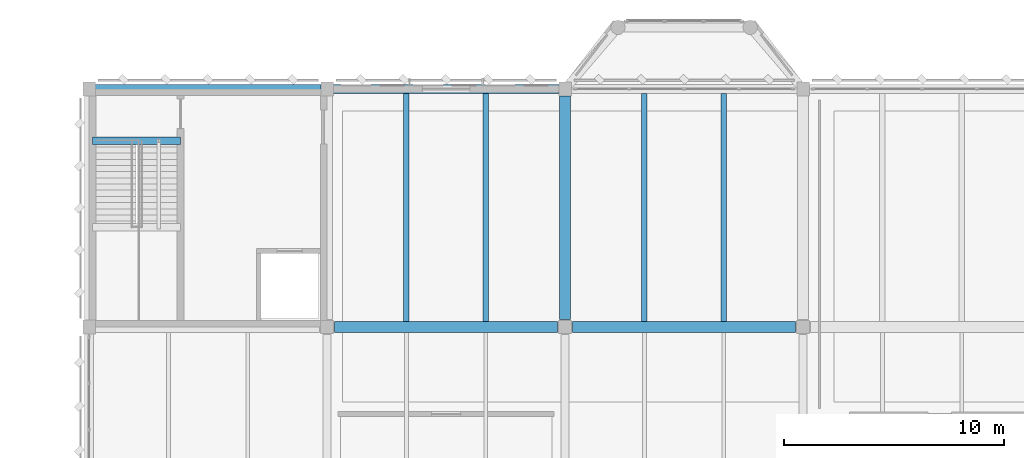
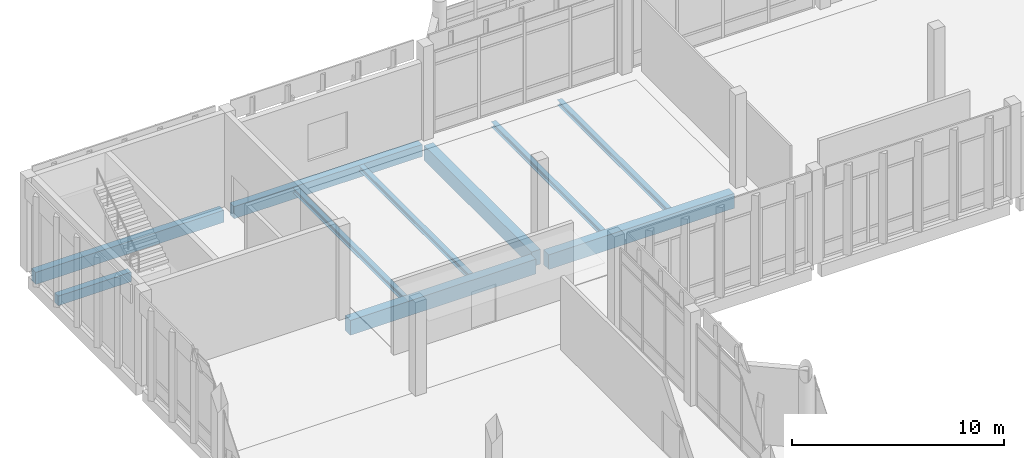
# One storey, part 69 of 180: 10 beams.
"""IFC4 building model written with IfcOpenShell, lengths in metres."""

from ifc_helpers import new_model, si_unit, direction, frame, origin, origin_2d, place, context, subcontext, project, spatial, rectangle, i_section, extrude, material, material_profile, profile_set, type_object, element, save


model = new_model("IFC4")

# Units and contexts
model_context = context("Model", 3, precision=1e-05, world=origin(), true_north=direction((0.0, 1.0)))
body_context = subcontext(model_context, "Body", "Model", "MODEL_VIEW")
ifc_project = project(units=[si_unit("LENGTHUNIT", "METRE"), si_unit("AREAUNIT", "SQUARE_METRE"), si_unit("VOLUMEUNIT", "CUBIC_METRE"), si_unit("PLANEANGLEUNIT", "RADIAN"), si_unit("MASSUNIT", "GRAM", prefix="KILO")], contexts=[model_context])

# Site, building, storey
site_placement = place(None, origin())
site = spatial("IfcSite", under=ifc_project, at=site_placement, CompositionType="ELEMENT")
building_placement = place(site_placement, origin())
building = spatial("IfcBuilding", under=site, at=building_placement, Name="Lusvemor Sports Hall", CompositionType="ELEMENT")
storey_placement = place(building_placement, frame((0.0, 0.0, 5.39990234375)))
storey = spatial("IfcBuildingStorey", under=building, at=storey_placement, Name="L01", CompositionType="ELEMENT", Elevation=5.39990234375)

# Beams
ifc_material_1 = material(Name="Concrete C40/50", Category="concrete")
ifc_material_profile_1 = material_profile(ifc_material_1, rectangle(XDim=0.35009765625, YDim=0.550048828125, at=origin_2d()), Name="RC350x550")
ifc_profile_set_1 = profile_set([ifc_material_profile_1], Name="Concrete C40/50")
beam_type_1 = type_object("IfcBeamType", Name="BEAM_RC_550", PredefinedType="BEAM", material=ifc_profile_set_1)
beam_1_placement = place(storey_placement, frame((0.159912109375, 112.85009765625, -0.454833984375), z_axis=(1.0, 0.0, 0.0), x_axis=(0.0, 1.0, 0.0)))
element("IfcBeam", 1, at=beam_1_placement, inside=storey, type_object=beam_type_1, Name="Stair STR-C1-L00 Top-Landing Beam", PredefinedType="BEAM", context=body_context, shape_type="SweptSolid", body=[
    extrude(rectangle(XDim=0.35009765625, YDim=0.550048828125, at=origin_2d()), origin(), (0.0, 0.0, 1.0), 3.97998046875),
])
ifc_material_2 = material(Name="Concrete C40/50", Category="concrete")
ifc_material_profile_2 = material_profile(ifc_material_2, rectangle(XDim=0.5, YDim=0.85009765625, at=origin_2d()), Name="RC500x850")
ifc_profile_set_2 = profile_set([ifc_material_profile_2], Name="Concrete C40/50")
beam_type_2 = type_object("IfcBeamType", Name="GIRD_RC_850", PredefinedType="T_BEAM", material=ifc_profile_set_2)
for number, where, z_axis, x_axis, name in (
    (2, (11.14599609375, 104.39990234375, -0.684814453125), (1.0, 0.0, 0.0), (0.0, 1.0, 0.0), "Beam L01 P:2-3"),
    (3, (21.946044921875, 104.39990234375, -0.684814453125), (1.0, 0.0, 0.0), (0.0, 1.0, 0.0), "Beam L01 P:3-4"),
):
    element("IfcBeam", number, at=place(storey_placement, frame(where, z_axis=z_axis, x_axis=x_axis)), inside=storey, type_object=beam_type_2, Name=name, PredefinedType="T_BEAM", context=body_context, shape_type="SweptSolid", body=[
        extrude(rectangle(XDim=0.5, YDim=0.85009765625, at=origin_2d()), origin(), (0.0, 0.0, 1.0), 10.10791015625),
    ])
beam_2_placement = place(storey_placement, frame((21.60009765625, 104.74609375, -0.684814453125), z_axis=(0.0, 1.0, 0.0), x_axis=(-1.0, 0.0, 0.0)))
element("IfcBeam", 4, at=beam_2_placement, inside=storey, type_object=beam_type_2, Name="Beam L01 3:P-Q", PredefinedType="T_BEAM", context=body_context, shape_type="SweptSolid", body=[
    extrude(rectangle(XDim=0.5, YDim=0.85009765625, at=origin_2d()), origin(), (0.0, 0.0, 1.0), 10.137939453125),
])
ifc_material_3 = material(Name="Steel S355", Category="steel")
ifc_material_profile_3 = material_profile(ifc_material_3, i_section(OverallWidth=0.25390625, OverallDepth=0.305908203125, WebThickness=0.0087890625, FlangeThickness=0.0146484375, FilletRadius=0.014892578125, at=origin_2d()), Name="W310x79.0")
ifc_profile_set_3 = profile_set([ifc_material_profile_3], Name="Steel S355")
beam_type_3 = type_object("IfcBeamType", Name="JOIST_ST_310H", PredefinedType="JOIST", material=ifc_profile_set_3)
for number, where, z_axis, x_axis, name in (
    (5, (14.39990234375, 104.64599609375, -0.4169921875), (0.0, 1.0, 0.0), (-1.0, 0.0, 0.0), "Secondary Joist L01 2-3/P-Q #1"),
    (6, (18.0, 104.64599609375, -0.4169921875), (0.0, 1.0, 0.0), (-1.0, 0.0, 0.0), "Secondary Joist L01 2-3/P-Q #2"),
    (7, (25.199951171875, 104.64599609375, -0.4169921875), (0.0, 1.0, 0.0), (-1.0, 0.0, 0.0), "Secondary Joist L01 3-4/P-Q #1"),
    (8, (28.800048828125, 104.64599609375, -0.4169921875), (0.0, 1.0, 0.0), (-1.0, 0.0, 0.0), "Secondary Joist L01 3-4/P-Q #2"),
):
    element("IfcBeam", number, at=place(storey_placement, frame(where, z_axis=z_axis, x_axis=x_axis)), inside=storey, type_object=beam_type_3, Name=name, PredefinedType="JOIST", context=body_context, shape_type="SweptSolid", body=[
        extrude(i_section(OverallWidth=0.25390625, OverallDepth=0.305908203125, WebThickness=0.0087890625, FlangeThickness=0.0146484375, FilletRadius=0.014892578125, at=origin_2d()), origin(), (0.0, 0.0, 1.0), 10.35791015625),
    ])
ifc_material_4 = material(Name="Concrete C40/50", Category="concrete")
ifc_material_profile_4 = material_profile(ifc_material_4, rectangle(XDim=0.39990234375, YDim=0.699951171875, at=origin_2d()), Name="RC400x700")
ifc_profile_set_4 = profile_set([ifc_material_profile_4], Name="Concrete C40/50")
beam_type_4 = type_object("IfcBeamType", Name="SPAND_EXT_700", PredefinedType="SPANDREL", material=ifc_profile_set_4)
for number, where, z_axis, x_axis, name in (
    (9, (0.27587890625, 115.199951171875, -0.60986328125), (1.0, 0.0, 0.0), (0.0, 1.0, 0.0), "Beam L01 Q:1-2"),
    (10, (11.075927734375, 115.199951171875, -0.60986328125), (1.0, 0.0, 0.0), (0.0, 1.0, 0.0), "Beam L01 Q:2-3"),
):
    element("IfcBeam", number, at=place(storey_placement, frame(where, z_axis=z_axis, x_axis=x_axis)), inside=storey, type_object=beam_type_4, Name=name, PredefinedType="SPANDREL", context=body_context, shape_type="SweptSolid", body=[
        extrude(rectangle(XDim=0.39990234375, YDim=0.699951171875, at=origin_2d()), origin(), (0.0, 0.0, 1.0), 10.248046875),
    ])

save(model, "model.ifc")
